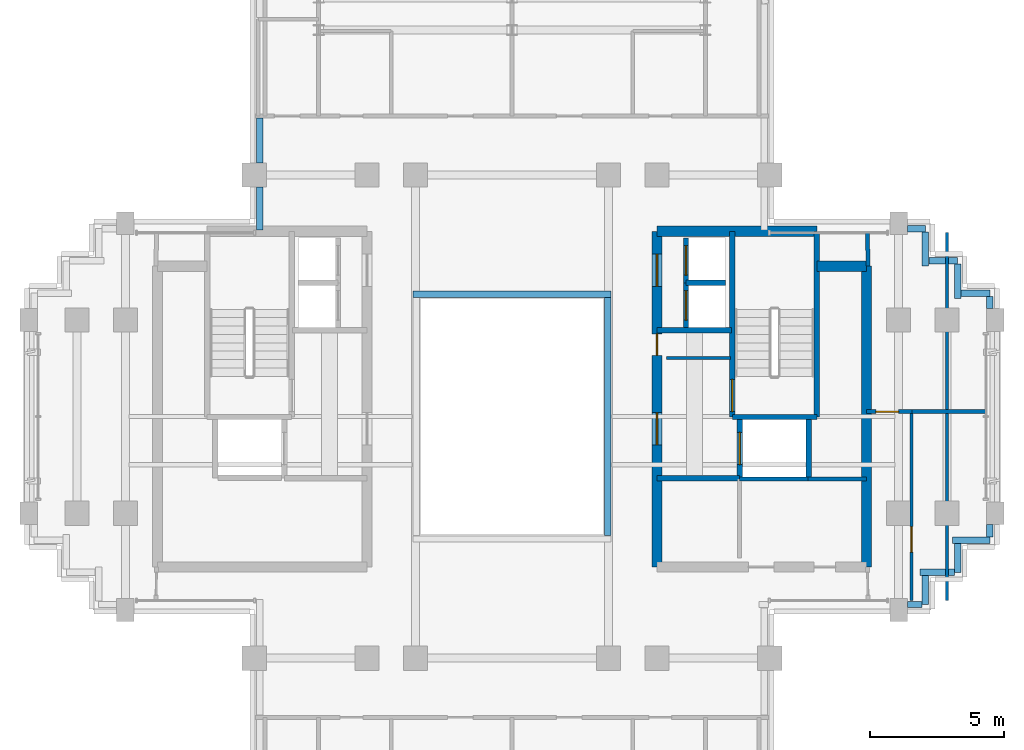
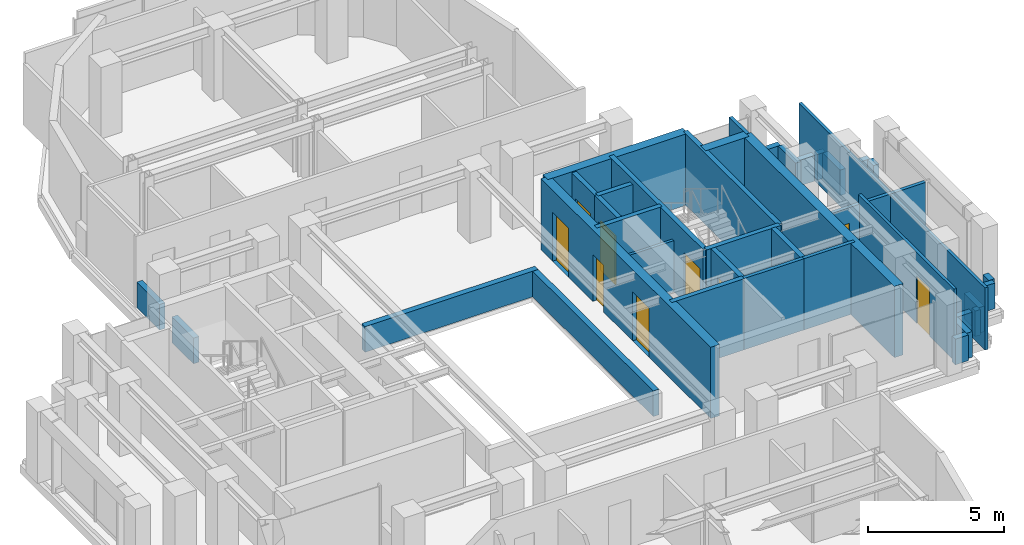
# One storey, part 7 of 11: 40 walls, 9 doors, 9 openings.
"""IFC4 building model written with IfcOpenShell, lengths in metres."""

from ifc_helpers import new_model, si_unit, direction, frame, frame_2d, origin, place, context, subcontext, project, spatial, rectangle, extrude, source, transform, mapped, material, layer, layer_set, type_object, element, fill, save


model = new_model("IFC4")

# Units and contexts
model_context = context("Model", 3, precision=1e-05, world=origin(), true_north=direction((0.0, 1.0)))
body_context = subcontext(model_context, "Body", "Model", "MODEL_VIEW")
ifc_project = project(units=[si_unit("LENGTHUNIT", "METRE"), si_unit("AREAUNIT", "SQUARE_METRE"), si_unit("VOLUMEUNIT", "CUBIC_METRE"), si_unit("PLANEANGLEUNIT", "RADIAN"), si_unit("MASSUNIT", "GRAM", prefix="KILO")], contexts=[model_context])

# Site, building, storey
site_placement = place(None, origin())
site = spatial("IfcSite", under=ifc_project, at=site_placement, CompositionType="ELEMENT")
building_placement = place(site_placement, origin())
building = spatial("IfcBuilding", under=site, at=building_placement, Name="Keilestroom Media Tower", CompositionType="ELEMENT")
storey_placement = place(building_placement, frame((0.0, 0.0, 197.800048828125)))
storey = spatial("IfcBuildingStorey", under=building, at=storey_placement, Name="L54", CompositionType="ELEMENT", Elevation=197.800048828125)

# Walls
ifc_material_1 = material(Name="Gypsum Plasterboard & Steel Stud", Category="steel")
ifc_layer_1 = layer(ifc_material_1, 0.1201171875)
ifc_layer_set_1 = layer_set([ifc_layer_1], Name="Gypsum Plasterboard & Steel Stud")
wall_type_1 = type_object("IfcWallType", Name="Interior-Partition-Wall-120", PredefinedType="PARTITIONING", material=ifc_layer_set_1)
wall_1_placement = place(storey_placement, frame((5.75, 2.179931640625, 0.0), z_axis=(0.0, 0.0, 1.0), x_axis=(1.0, 0.0, 0.0)))
element("IfcWall", 1, at=wall_1_placement, inside=storey, type_object=wall_type_1, Name="L54 Interior Wall WP-L54-CIE-S", PredefinedType="PARTITIONING", context=body_context, shape_type="SweptSolid", body=[
    extrude(rectangle(XDim=2.389892578125, YDim=0.1201171875, at=frame_2d((1.19482421875, 0.0))), origin(), (0.0, 0.0, 1.0), 2.300048828125),
])
wall_2_placement = place(storey_placement, frame((16.199951171875, -6.85009765625, 0.0), z_axis=(0.0, 0.0, 1.0), x_axis=(0.0, 1.0, 0.0)))
element("IfcWall", 2, at=wall_2_placement, inside=storey, type_object=wall_type_1, Name="L54 Interior Wall WP-L54-HGYM-COL", PredefinedType="PARTITIONING", context=body_context, shape_type="SweptSolid", body=[
    extrude(rectangle(XDim=13.7001953125, YDim=0.1201171875, at=frame_2d((6.85009765625, 0.0))), origin(), (0.0, 0.0, 1.0), 2.800048828125),
])

# Wall, opening, door
wall_3_placement = place(storey_placement, frame((14.8798828125, -6.85009765625, 0.0), z_axis=(0.0, 0.0, 1.0), x_axis=(0.0, 1.0, 0.0)))
wall_3 = element("IfcWall", 3, at=wall_3_placement, inside=storey, type_object=wall_type_1, Name="L54 Interior Wall WP-L54-HSKP307-W", PredefinedType="PARTITIONING", context=body_context, shape_type="SweptSolid", body=[
    extrude(rectangle(XDim=7.030029296875, YDim=0.1201171875, at=frame_2d((3.51513671875, 0.0))), origin(), (0.0, 0.0, 1.0), 3.199951171875),
])
opening_1_placement = place(wall_3_placement, frame((1.800048828125, 0.0, 0.0)))
opening_1 = element("IfcOpeningElement", 4, at=opening_1_placement, cuts=wall_3, Name="Opening DI-03", PredefinedType="OPENING", context=body_context, shape_type="SweptSolid", body=[
    extrude(rectangle(XDim=0.949951171875, YDim=2.14990234375, at=frame_2d((0.47509765625, 1.074951171875))), frame((0.0, 0.070068359375, 0.0), z_axis=(0.0, -1.0, 0.0), x_axis=(1.0, 0.0, 0.0)), (0.0, 0.0, 1.0), 0.14013671875),
])
ifc_material_2 = material(Name="Lacquered European Oak Leaf", Category="wood")
door_type_1 = type_object("IfcDoorType", Name="Interior-Room-And-Suite-Door-DI-03", OperationType="NOTDEFINED", PredefinedType="DOOR", material=ifc_material_2)
shared_shape_1 = source(origin(), body_context, "Body", "SweptSolid", [
    extrude(rectangle(XDim=0.949951171875, YDim=2.14990234375, at=frame_2d((0.47509765625, 1.074951171875))), frame((0.0, 0.02490234375, 0.0), z_axis=(0.0, -1.0, 0.0), x_axis=(1.0, 0.0, 0.0)), (0.0, 0.0, 1.0), 0.050048828125),
])
door_1_placement = place(opening_1_placement, origin())
door_1 = element("IfcDoor", 5, at=door_1_placement, inside=storey, type_object=door_type_1, Name="L54 Interior Door DI-L54-DHSKP307-L", OperationType="SINGLE_SWING_RIGHT", OverallHeight=2.14990234375, OverallWidth=0.949951171875, PredefinedType="DOOR", context=body_context, shape_type="MappedRepresentation", body=[
    mapped(shared_shape_1, transform((0.0, 0.0, 0.0), x_axis=(1.0, 0.0, 0.0), y_axis=(0.0, 1.0, 0.0), z_axis=(0.0, 0.0, 1.0), scale=1.0)),
])
fill(opening_1, door_1)

# Walls
ifc_layer_2 = layer(ifc_material_1, 0.14990234375)
ifc_layer_set_2 = layer_set([ifc_layer_2], Name="Gypsum Plasterboard & Steel Stud")
wall_type_2 = type_object("IfcWallType", Name="Interior-Partition-Wall-150", PredefinedType="PARTITIONING", material=ifc_layer_set_2)
wall_4_placement = place(storey_placement, frame((11.02001953125, -2.320068359375, 0.0), z_axis=(0.0, 0.0, 1.0), x_axis=(1.0, 0.0, 0.0)))
element("IfcWall", 6, at=wall_4_placement, inside=storey, type_object=wall_type_2, Name="L54 Interior Wall WP-L54-RECLE-N", PredefinedType="PARTITIONING", context=body_context, shape_type="SweptSolid", body=[
    extrude(rectangle(XDim=2.179931640625, YDim=0.14990234375, at=frame_2d((1.08984375, 0.0))), origin(), (0.0, 0.0, 1.0), 3.199951171875),
])
wall_5_placement = place(storey_placement, frame((8.47998046875, -2.320068359375, 0.0), z_axis=(0.0, 0.0, 1.0), x_axis=(1.0, 0.0, 0.0)))
element("IfcWall", 7, at=wall_5_placement, inside=storey, type_object=wall_type_2, Name="L54 Interior Wall WP-L54-RECME-N", PredefinedType="PARTITIONING", context=body_context, shape_type="SweptSolid", body=[
    extrude(rectangle(XDim=2.56005859375, YDim=0.14990234375, at=frame_2d((1.280029296875, 0.0))), origin(), (0.0, 0.0, 1.0), 3.199951171875),
])
wall_6_placement = place(storey_placement, frame((13.260009765625, 5.60009765625, 0.0), z_axis=(0.0, 0.0, 1.0), x_axis=(-0.016013571389, 0.999871774545, 0.0)))
element("IfcWall", 8, at=wall_6_placement, inside=storey, type_object=wall_type_2, Name="L54 Interior Wall WP-L54-HGYM-ENTN", PredefinedType="PARTITIONING", context=body_context, shape_type="SweptSolid", body=[
    extrude(rectangle(XDim=1.250244140625, YDim=0.14990234375, at=frame_2d((0.625, 0.0))), origin(), (0.0, 0.0, 1.0), 3.199951171875),
])
wall_7_placement = place(storey_placement, frame((14.89990234375, 0.179931640625, 0.0), z_axis=(0.0, 0.0, 1.0), x_axis=(1.0, 0.0, 0.0)))
element("IfcWall", 9, at=wall_7_placement, inside=storey, type_object=wall_type_2, Name="L54 Interior Wall WP-L54-HGYM-M", PredefinedType="PARTITIONING", context=body_context, shape_type="SweptSolid", body=[
    extrude(rectangle(XDim=2.75, YDim=0.14990234375, at=frame_2d((1.375, 0.0))), origin(), (0.0, 0.0, 1.0), 2.800048828125),
])

# Wall, opening, door
wall_8_placement = place(storey_placement, frame((13.199951171875, 0.179931640625, 0.0), z_axis=(0.0, 0.0, 1.0), x_axis=(1.0, 0.0, 0.0)))
wall_8 = element("IfcWall", 10, at=wall_8_placement, inside=storey, type_object=wall_type_2, Name="L54 Interior Wall WP-L54-HGYM-S0", PredefinedType="PARTITIONING", context=body_context, shape_type="SweptSolid", body=[
    extrude(rectangle(XDim=1.699951171875, YDim=0.14990234375, at=frame_2d((0.85009765625, 0.0))), origin(), (0.0, 0.0, 1.0), 2.800048828125),
])
opening_2_placement = place(wall_8_placement, frame((0.35009765625, 0.0, 0.0)))
opening_2 = element("IfcOpeningElement", 11, at=opening_2_placement, cuts=wall_8, Name="Opening DI-05", PredefinedType="OPENING", context=body_context, shape_type="SweptSolid", body=[
    extrude(rectangle(XDim=0.85009765625, YDim=2.10009765625, at=frame_2d((0.425048828125, 1.050048828125))), frame((0.0, 0.0849609375, 0.0), z_axis=(0.0, -1.0, 0.0), x_axis=(1.0, 0.0, 0.0)), (0.0, 0.0, 1.0), 0.169921875),
])
ifc_material_3 = material(Name="Moisture-Resistant Oak Leaf", Category="wood")
door_type_2 = type_object("IfcDoorType", Name="Interior-En-Suite-And-Cupboard-Door-DI-05", OperationType="NOTDEFINED", PredefinedType="DOOR", material=ifc_material_3)
shared_shape_2 = source(origin(), body_context, "Body", "SweptSolid", [
    extrude(rectangle(XDim=0.85009765625, YDim=2.10009765625, at=frame_2d((0.425048828125, 1.050048828125))), frame((0.0, 0.02490234375, 0.0), z_axis=(0.0, -1.0, 0.0), x_axis=(1.0, 0.0, 0.0)), (0.0, 0.0, 1.0), 0.050048828125),
])
door_2_placement = place(opening_2_placement, origin())
door_2 = element("IfcDoor", 12, at=door_2_placement, inside=storey, type_object=door_type_2, Name="L54 Interior Door DI-L54-DGYM-E", OperationType="SINGLE_SWING_LEFT", OverallHeight=2.10009765625, OverallWidth=0.85009765625, PredefinedType="DOOR", context=body_context, shape_type="MappedRepresentation", body=[
    mapped(shared_shape_2, transform((0.0, 0.0, 0.0), x_axis=(1.0, 0.0, 0.0), y_axis=(0.0, 1.0, 0.0), z_axis=(0.0, 0.0, 1.0), scale=1.0)),
])
fill(opening_2, door_2)

# Wall
ifc_material_4 = material(Name="Concrete C55/67", Category="concrete")
ifc_layer_3 = layer(ifc_material_4, 0.3798828125)
ifc_layer_set_3 = layer_set([ifc_layer_3], Name="Concrete C55/67")
wall_type_3 = type_object("IfcWallType", Name="Reinforced-Concrete-Core-Shear-Wall-380", PredefinedType="SHEAR", material=ifc_layer_set_3)
wall_9_placement = place(storey_placement, frame((13.199951171875, -5.60009765625, 0.0), z_axis=(0.0, 0.0, 1.0), x_axis=(0.0, 1.0, 0.0)))
element("IfcWall", 13, at=wall_9_placement, inside=storey, type_object=wall_type_3, Name="L54 Core Shear Wall WL-L54-CORE-E-OUT", PredefinedType="SHEAR", context=body_context, shape_type="SweptSolid", body=[
    extrude(rectangle(XDim=11.2001953125, YDim=0.3798828125, at=frame_2d((5.60009765625, 0.0))), origin(), (0.0, 0.0, 1.0), 3.199951171875),
])

# Wall, openings, doors
wall_10_placement = place(storey_placement, frame((5.39990234375, -5.60009765625, 0.0), z_axis=(0.0, 0.0, 1.0), x_axis=(0.0, 1.0, 0.0)))
wall_10 = element("IfcWall", 14, at=wall_10_placement, inside=storey, type_object=wall_type_3, Name="L54 Core Shear Wall WL-L54-CORE-E-IN", PredefinedType="SHEAR", context=body_context, shape_type="SweptSolid", body=[
    extrude(rectangle(XDim=12.5, YDim=0.3798828125, at=frame_2d((6.25, 0.0))), origin(), (0.0, 0.0, 1.0), 3.199951171875),
])
opening_3_placement = place(wall_10_placement, frame((4.550048828125, 0.0, 0.0)))
opening_3 = element("IfcOpeningElement", 15, at=opening_3_placement, cuts=wall_10, Name="Opening DI-02", PredefinedType="OPENING", context=body_context, shape_type="SweptSolid", body=[
    extrude(rectangle(XDim=1.199951171875, YDim=2.199951171875, at=frame_2d((0.60009765625, 1.10009765625))), frame((0.0, 0.199951171875, 0.0), z_axis=(0.0, -1.0, 0.0), x_axis=(1.0, 0.0, 0.0)), (0.0, 0.0, 1.0), 0.39990234375),
])
opening_4_placement = place(wall_10_placement, frame((10.449951171875, 0.0, 0.0)))
opening_4 = element("IfcOpeningElement", 16, at=opening_4_placement, cuts=wall_10, Name="Opening DI-02", PredefinedType="OPENING", context=body_context, shape_type="SweptSolid", body=[
    extrude(rectangle(XDim=1.199951171875, YDim=2.199951171875, at=frame_2d((0.60009765625, 1.10009765625))), frame((0.0, 0.199951171875, 0.0), z_axis=(0.0, -1.0, 0.0), x_axis=(1.0, 0.0, 0.0)), (0.0, 0.0, 1.0), 0.39990234375),
])
opening_5_placement = place(wall_10_placement, frame((7.8798828125, 0.0, 0.0)))
opening_5 = element("IfcOpeningElement", 17, at=opening_5_placement, cuts=wall_10, Name="Opening DI-06", PredefinedType="OPENING", context=body_context, shape_type="SweptSolid", body=[
    extrude(rectangle(XDim=0.800048828125, YDim=2.10009765625, at=frame_2d((0.39990234375, 1.050048828125))), frame((0.0, 0.199951171875, 0.0), z_axis=(0.0, -1.0, 0.0), x_axis=(1.0, 0.0, 0.0)), (0.0, 0.0, 1.0), 0.39990234375),
])
ifc_material_5 = material(Name="Powder-Coated Steel Fire Leaf", Category="steel")
door_type_3 = type_object("IfcDoorType", Name="Interior-Compartment-Fire-Door-DI-02", OperationType="NOTDEFINED", PredefinedType="DOOR", material=ifc_material_5)
shared_shape_3 = source(origin(), body_context, "Body", "SweptSolid", [
    extrude(rectangle(XDim=1.199951171875, YDim=2.199951171875, at=frame_2d((0.60009765625, 1.10009765625))), frame((0.0, 0.02490234375, 0.0), z_axis=(0.0, -1.0, 0.0), x_axis=(1.0, 0.0, 0.0)), (0.0, 0.0, 1.0), 0.050048828125),
])
door_3_placement = place(opening_3_placement, origin())
door_3 = element("IfcDoor", 18, at=door_3_placement, inside=storey, type_object=door_type_3, Name="L54 E Firefighting Lobby Door", OperationType="SINGLE_SWING_LEFT", OverallHeight=2.199951171875, OverallWidth=1.199951171875, PredefinedType="DOOR", context=body_context, shape_type="MappedRepresentation", body=[
    mapped(shared_shape_3, transform((0.0, 0.0, 0.0), x_axis=(1.0, 0.0, 0.0), y_axis=(0.0, 1.0, 0.0), z_axis=(0.0, 0.0, 1.0), scale=1.0)),
])
fill(opening_3, door_3)
door_4_placement = place(opening_4_placement, origin())
door_4 = element("IfcDoor", 19, at=door_4_placement, inside=storey, type_object=door_type_3, Name="L54 E High-Rise Lift Lobby Door", OperationType="SINGLE_SWING_RIGHT", OverallHeight=2.199951171875, OverallWidth=1.199951171875, PredefinedType="DOOR", context=body_context, shape_type="MappedRepresentation", body=[
    mapped(shared_shape_3, transform((0.0, 0.0, 0.0), x_axis=(1.0, 0.0, 0.0), y_axis=(0.0, 1.0, 0.0), z_axis=(0.0, 0.0, 1.0), scale=1.0)),
])
fill(opening_4, door_4)
ifc_material_6 = material(Name="Powder-Coated Steel Service Leaf", Category="steel")
door_type_4 = type_object("IfcDoorType", Name="Interior-Riser-Access-Door-DI-06", OperationType="NOTDEFINED", PredefinedType="DOOR", material=ifc_material_6)
shared_shape_4 = source(origin(), body_context, "Body", "SweptSolid", [
    extrude(rectangle(XDim=0.800048828125, YDim=2.10009765625, at=frame_2d((0.39990234375, 1.050048828125))), frame((0.0, 0.02490234375, 0.0), z_axis=(0.0, -1.0, 0.0), x_axis=(1.0, 0.0, 0.0)), (0.0, 0.0, 1.0), 0.050048828125),
])
door_5_placement = place(opening_5_placement, origin())
door_5 = element("IfcDoor", 20, at=door_5_placement, inside=storey, type_object=door_type_4, Name="L54 East Core Closet Door", OperationType="SINGLE_SWING_RIGHT", OverallHeight=2.10009765625, OverallWidth=0.800048828125, PredefinedType="DOOR", context=body_context, shape_type="MappedRepresentation", body=[
    mapped(shared_shape_4, transform((0.0, 0.0, 0.0), x_axis=(1.0, 0.0, 0.0), y_axis=(0.0, 1.0, 0.0), z_axis=(0.0, 0.0, 1.0), scale=1.0)),
])
fill(opening_5, door_5)

# Walls
wall_11_placement = place(storey_placement, frame((5.39990234375, 6.89990234375, 0.0), z_axis=(0.0, 0.0, 1.0), x_axis=(1.0, 0.0, 0.0)))
element("IfcWall", 21, at=wall_11_placement, inside=storey, type_object=wall_type_3, Name="L54 Core Shear Wall WL-L54-CORE-E-N", PredefinedType="SHEAR", context=body_context, shape_type="SweptSolid", body=[
    extrude(rectangle(XDim=5.9560546875, YDim=0.3798828125, at=frame_2d((2.97802734375, 0.0))), origin(), (0.0, 0.0, 1.0), 3.199951171875),
])
wall_12_placement = place(storey_placement, frame((11.35595703125, 5.60009765625, 0.0), z_axis=(0.0, 0.0, 1.0), x_axis=(1.0, 0.0, 0.0)))
element("IfcWall", 22, at=wall_12_placement, inside=storey, type_object=wall_type_3, Name="L54 Core Shear Wall WL-L54-CNE-N", PredefinedType="SHEAR", context=body_context, shape_type="SweptSolid", body=[
    extrude(rectangle(XDim=1.843994140625, YDim=0.3798828125, at=frame_2d((0.921875, 0.0))), origin(), (0.0, 0.0, 1.0), 3.199951171875),
])
ifc_material_7 = material(Name="Concrete C50/60", Category="concrete")
ifc_layer_4 = layer(ifc_material_7, 0.199951171875)
ifc_layer_set_4 = layer_set([ifc_layer_4], Name="Concrete C50/60")
wall_type_4 = type_object("IfcWallType", Name="Reinforced-Concrete-Shaft-Wall-200", PredefinedType="SOLIDWALL", material=ifc_layer_set_4)
wall_13_placement = place(storey_placement, frame((5.39990234375, 3.219970703125, 0.0), z_axis=(0.0, 0.0, 1.0), x_axis=(1.0, 0.0, 0.0)))
element("IfcWall", 23, at=wall_13_placement, inside=storey, type_object=wall_type_4, Name="L54 Core Shear Wall WL-L54-CORE-E-FFN", PredefinedType="SOLIDWALL", context=body_context, shape_type="SweptSolid", body=[
    extrude(rectangle(XDim=2.780029296875, YDim=0.199951171875, at=frame_2d((1.39013671875, 0.0))), origin(), (0.0, 0.0, 1.0), 3.199951171875),
])
wall_14_placement = place(storey_placement, frame((5.39990234375, -2.300048828125, 0.0), z_axis=(0.0, 0.0, 1.0), x_axis=(1.0, 0.0, 0.0)))
element("IfcWall", 24, at=wall_14_placement, inside=storey, type_object=wall_type_4, Name="L54 Core Shear Wall WL-L54-CORE-E-FFS", PredefinedType="SOLIDWALL", context=body_context, shape_type="SweptSolid", body=[
    extrude(rectangle(XDim=3.080078125, YDim=0.199951171875, at=frame_2d((1.5400390625, 0.0))), origin(), (0.0, 0.0, 1.0), 3.199951171875),
])

# Wall, opening, door
wall_15_placement = place(storey_placement, frame((8.2041015625, -0.01611328125, 0.0), z_axis=(0.0, 0.0, 1.0), x_axis=(0.0, 1.0, 0.0)))
wall_15 = element("IfcWall", 25, at=wall_15_placement, inside=storey, type_object=wall_type_4, Name="L54 Core Shear Wall WL-L54-STW-E-NEAR", PredefinedType="SOLIDWALL", context=body_context, shape_type="SweptSolid", body=[
    extrude(rectangle(XDim=6.916015625, YDim=0.199951171875, at=frame_2d((3.4580078125, 0.0))), origin(), (0.0, 0.0, 1.0), 3.199951171875),
])
opening_6_placement = place(wall_15_placement, frame((0.199951171875, 0.0, 0.0)))
opening_6 = element("IfcOpeningElement", 26, at=opening_6_placement, cuts=wall_15, Name="Opening DI-01S", PredefinedType="OPENING", context=body_context, shape_type="SweptSolid", body=[
    extrude(rectangle(XDim=1.199951171875, YDim=2.199951171875, at=frame_2d((0.60009765625, 1.10009765625))), frame((0.0, 0.10986328125, 0.0), z_axis=(0.0, -1.0, 0.0), x_axis=(1.0, 0.0, 0.0)), (0.0, 0.0, 1.0), 0.219970703125),
])
door_type_5 = type_object("IfcDoorType", Name="Interior-Stair-And-Core-Fire-Door-DI-01", OperationType="NOTDEFINED", PredefinedType="DOOR", material=ifc_material_5)
door_6_placement = place(opening_6_placement, origin())
door_6 = element("IfcDoor", 27, at=door_6_placement, inside=storey, type_object=door_type_5, Name="L54 Escape Stair ST-2 Fire Door", OperationType="SINGLE_SWING_RIGHT", OverallHeight=2.199951171875, OverallWidth=1.199951171875, PredefinedType="DOOR", context=body_context, shape_type="MappedRepresentation", body=[
    mapped(shared_shape_3, transform((0.0, 0.0, 0.0), x_axis=(1.0, 0.0, 0.0), y_axis=(0.0, 1.0, 0.0), z_axis=(0.0, 0.0, 1.0), scale=1.0)),
])
fill(opening_6, door_6)

# Walls
wall_16_placement = place(storey_placement, frame((11.35595703125, -0.01611328125, 0.0), z_axis=(0.0, 0.0, 1.0), x_axis=(0.0, 1.0, 0.0)))
element("IfcWall", 28, at=wall_16_placement, inside=storey, type_object=wall_type_4, Name="L54 Core Shear Wall WL-L54-STW-E-FAR", PredefinedType="SOLIDWALL", context=body_context, shape_type="SweptSolid", body=[
    extrude(rectangle(XDim=6.916015625, YDim=0.199951171875, at=frame_2d((3.4580078125, 0.0))), origin(), (0.0, 0.0, 1.0), 3.199951171875),
])
wall_17_placement = place(storey_placement, frame((8.2041015625, -0.01611328125, 0.0), z_axis=(0.0, 0.0, 1.0), x_axis=(1.0, 0.0, 0.0)))
element("IfcWall", 29, at=wall_17_placement, inside=storey, type_object=wall_type_4, Name="L54 Core Shear Wall WL-L54-STW-E-S", PredefinedType="SOLIDWALL", context=body_context, shape_type="SweptSolid", body=[
    extrude(rectangle(XDim=3.15185546875, YDim=0.199951171875, at=frame_2d((1.575927734375, 0.0))), origin(), (0.0, 0.0, 1.0), 3.199951171875),
])

# Wall, opening, door
wall_18_placement = place(storey_placement, frame((8.47998046875, -2.280029296875, 0.0), z_axis=(0.0, 0.0, 1.0), x_axis=(0.0, 1.0, 0.0)))
wall_18 = element("IfcWall", 30, at=wall_18_placement, inside=storey, type_object=wall_type_4, Name="L54 Core Shear Wall WL-L54-LSH-FFL-2-W", PredefinedType="SOLIDWALL", context=body_context, shape_type="SweptSolid", body=[
    extrude(rectangle(XDim=2.179931640625, YDim=0.199951171875, at=frame_2d((1.08984375, 0.0))), origin(), (0.0, 0.0, 1.0), 3.199951171875),
])
opening_7_placement = place(wall_18_placement, frame((0.489990234375, 0.0, 0.0)))
opening_7 = element("IfcOpeningElement", 31, at=opening_7_placement, cuts=wall_18, Name="Opening LD-02", PredefinedType="OPENING", context=body_context, shape_type="SweptSolid", body=[
    extrude(rectangle(XDim=1.199951171875, YDim=2.199951171875, at=frame_2d((0.60009765625, 1.10009765625))), frame((0.0, 0.10986328125, 0.0), z_axis=(0.0, -1.0, 0.0), x_axis=(1.0, 0.0, 0.0)), (0.0, 0.0, 1.0), 0.219970703125),
])
ifc_material_8 = material(Name="Brushed Stainless Steel Sliding Leaf", Category="steel")
door_type_6 = type_object("IfcDoorType", Name="Lift-Landing-Sliding-Door-LD-02", OperationType="SLIDING_TO_RIGHT", PredefinedType="DOOR", material=ifc_material_8)
door_7_placement = place(opening_7_placement, origin())
door_7 = element("IfcDoor", 32, at=door_7_placement, inside=storey, type_object=door_type_6, Name="L54 Lift FFL-2 Landing Sliding Door", OperationType="SLIDING_TO_RIGHT", OverallHeight=2.199951171875, OverallWidth=1.199951171875, PredefinedType="DOOR", context=body_context, shape_type="MappedRepresentation", body=[
    mapped(shared_shape_3, transform((0.0, 0.0, 0.0), x_axis=(1.0, 0.0, 0.0), y_axis=(0.0, 1.0, 0.0), z_axis=(0.0, 0.0, 1.0), scale=1.0)),
])
fill(opening_7, door_7)

# Wall
wall_19_placement = place(storey_placement, frame((11.050048828125, -2.280029296875, 0.0), z_axis=(0.0, 0.0, 1.0), x_axis=(0.0, 1.0, 0.0)))
element("IfcWall", 33, at=wall_19_placement, inside=storey, type_object=wall_type_4, Name="L54 Core Shear Wall WL-L54-LSH-FFL-2-E", PredefinedType="SOLIDWALL", context=body_context, shape_type="SweptSolid", body=[
    extrude(rectangle(XDim=2.179931640625, YDim=0.199951171875, at=frame_2d((1.08984375, 0.0))), origin(), (0.0, 0.0, 1.0), 3.199951171875),
])

# Wall, opening, door
wall_20_placement = place(storey_placement, frame((6.47998046875, 3.300048828125, 0.0), z_axis=(0.0, 0.0, 1.0), x_axis=(0.0, 1.0, 0.0)))
wall_20 = element("IfcWall", 34, at=wall_20_placement, inside=storey, type_object=wall_type_4, Name="L54 Core Shear Wall WL-L54-LSH-PL-H3-W", PredefinedType="SOLIDWALL", context=body_context, shape_type="SweptSolid", body=[
    extrude(rectangle(XDim=1.679931640625, YDim=0.199951171875, at=frame_2d((0.83984375, 0.0))), origin(), (0.0, 0.0, 1.0), 3.199951171875),
])
opening_8_placement = place(wall_20_placement, frame((0.2900390625, 0.0, 0.0)))
opening_8 = element("IfcOpeningElement", 35, at=opening_8_placement, cuts=wall_20, Name="Opening LD-01", PredefinedType="OPENING", context=body_context, shape_type="SweptSolid", body=[
    extrude(rectangle(XDim=1.10009765625, YDim=2.199951171875, at=frame_2d((0.550048828125, 1.10009765625))), frame((0.0, 0.10986328125, 0.0), z_axis=(0.0, -1.0, 0.0), x_axis=(1.0, 0.0, 0.0)), (0.0, 0.0, 1.0), 0.219970703125),
])
door_type_7 = type_object("IfcDoorType", Name="Lift-Landing-Sliding-Door-LD-01", OperationType="SLIDING_TO_LEFT", PredefinedType="DOOR", material=ifc_material_8)
shared_shape_5 = source(origin(), body_context, "Body", "SweptSolid", [
    extrude(rectangle(XDim=1.10009765625, YDim=2.199951171875, at=frame_2d((0.550048828125, 1.10009765625))), frame((0.0, 0.02490234375, 0.0), z_axis=(0.0, -1.0, 0.0), x_axis=(1.0, 0.0, 0.0)), (0.0, 0.0, 1.0), 0.050048828125),
])
door_8_placement = place(opening_8_placement, origin())
door_8 = element("IfcDoor", 36, at=door_8_placement, inside=storey, type_object=door_type_7, Name="L54 Lift PL-H3 Landing Sliding Door", OperationType="SLIDING_TO_LEFT", OverallHeight=2.199951171875, OverallWidth=1.10009765625, PredefinedType="DOOR", context=body_context, shape_type="MappedRepresentation", body=[
    mapped(shared_shape_5, transform((0.0, 0.0, 0.0), x_axis=(1.0, 0.0, 0.0), y_axis=(0.0, 1.0, 0.0), z_axis=(0.0, 0.0, 1.0), scale=1.0)),
])
fill(opening_8, door_8)

# Wall
wall_21_placement = place(storey_placement, frame((6.47998046875, 4.97998046875, 0.0), z_axis=(0.0, 0.0, 1.0), x_axis=(1.0, 0.0, 0.0)))
element("IfcWall", 37, at=wall_21_placement, inside=storey, type_object=wall_type_4, Name="L54 Core Shear Wall WL-L54-LSH-PL-H3-N", PredefinedType="SOLIDWALL", context=body_context, shape_type="SweptSolid", body=[
    extrude(rectangle(XDim=1.469970703125, YDim=0.199951171875, at=frame_2d((0.73486328125, 0.0))), origin(), (0.0, 0.0, 1.0), 3.199951171875),
])

# Wall, opening, door
wall_22_placement = place(storey_placement, frame((6.47998046875, 4.97998046875, 0.0), z_axis=(0.0, 0.0, 1.0), x_axis=(0.0, 1.0, 0.0)))
wall_22 = element("IfcWall", 38, at=wall_22_placement, inside=storey, type_object=wall_type_4, Name="L54 Core Shear Wall WL-L54-LSH-PL-H4-W", PredefinedType="SOLIDWALL", context=body_context, shape_type="SweptSolid", body=[
    extrude(rectangle(XDim=1.669921875, YDim=0.199951171875, at=frame_2d((0.8349609375, 0.0))), origin(), (0.0, 0.0, 1.0), 3.199951171875),
])
opening_9_placement = place(wall_22_placement, frame((0.284912109375, 0.0, 0.0)))
opening_9 = element("IfcOpeningElement", 39, at=opening_9_placement, cuts=wall_22, Name="Opening LD-01", PredefinedType="OPENING", context=body_context, shape_type="SweptSolid", body=[
    extrude(rectangle(XDim=1.10009765625, YDim=2.199951171875, at=frame_2d((0.550048828125, 1.10009765625))), frame((0.0, 0.10986328125, 0.0), z_axis=(0.0, -1.0, 0.0), x_axis=(1.0, 0.0, 0.0)), (0.0, 0.0, 1.0), 0.219970703125),
])
door_9_placement = place(opening_9_placement, origin())
door_9 = element("IfcDoor", 40, at=door_9_placement, inside=storey, type_object=door_type_7, Name="L54 Lift PL-H4 Landing Sliding Door", OperationType="SLIDING_TO_LEFT", OverallHeight=2.199951171875, OverallWidth=1.10009765625, PredefinedType="DOOR", context=body_context, shape_type="MappedRepresentation", body=[
    mapped(shared_shape_5, transform((0.0, 0.0, 0.0), x_axis=(1.0, 0.0, 0.0), y_axis=(0.0, 1.0, 0.0), z_axis=(0.0, 0.0, 1.0), scale=1.0)),
])
fill(opening_9, door_9)

# Walls
ifc_material_9 = material(Name="Precast concrete C40/50", Category="concrete")
ifc_layer_5 = layer(ifc_material_9, 0.239990234375)
ifc_layer_set_5 = layer_set([ifc_layer_5], Name="Precast concrete C40/50")
wall_type_5 = type_object("IfcWallType", Name="Roof-And-Terrace-Parapet-Wall-240", PredefinedType="PARAPET", material=ifc_layer_set_5)
wall_23_placement = place(storey_placement, frame((17.800048828125, -4.60009765625, 0.0), z_axis=(0.0, 0.0, 1.0), x_axis=(-1.0, 0.0, 0.0)))
element("IfcWall", 41, at=wall_23_placement, inside=storey, type_object=wall_type_5, Name="L54 Perimeter Edge Parapet Wall 01", PredefinedType="PARAPET", context=body_context, shape_type="SweptSolid", body=[
    extrude(rectangle(XDim=1.400146484375, YDim=0.239990234375, at=frame_2d((0.7001953125, 0.0))), origin(), (0.0, 0.0, 1.0), 1.14990234375),
])
wall_24_placement = place(storey_placement, frame((16.60009765625, -4.722900390625, 0.0), z_axis=(0.0, 0.0, 1.0), x_axis=(0.0, -1.0, 0.0)))
element("IfcWall", 42, at=wall_24_placement, inside=storey, type_object=wall_type_5, Name="L54 Perimeter Edge Parapet Wall 02", PredefinedType="PARAPET", context=body_context, shape_type="SweptSolid", body=[
    extrude(rectangle(XDim=1.0771484375, YDim=0.239990234375, at=frame_2d((0.53857421875, 0.0))), origin(), (0.0, 0.0, 1.0), 1.14990234375),
])
wall_25_placement = place(storey_placement, frame((16.47705078125, -5.800048828125, 0.0), z_axis=(0.0, 0.0, 1.0), x_axis=(-1.0, 0.0, 0.0)))
element("IfcWall", 43, at=wall_25_placement, inside=storey, type_object=wall_type_5, Name="L54 Perimeter Edge Parapet Wall 03", PredefinedType="PARAPET", context=body_context, shape_type="SweptSolid", body=[
    extrude(rectangle(XDim=0.214111328125, YDim=0.239990234375, at=frame_2d((0.10693359375, 0.0))), origin(), (0.0, 0.0, 1.0), 1.14990234375),
])
wall_26_placement = place(storey_placement, frame((16.136962890625, -5.800048828125, 0.0), z_axis=(0.0, 0.0, 1.0), x_axis=(-1.0, 0.0, 0.0)))
element("IfcWall", 44, at=wall_26_placement, inside=storey, type_object=wall_type_5, Name="L54 Perimeter Edge Parapet Wall 04", PredefinedType="PARAPET", context=body_context, shape_type="SweptSolid", body=[
    extrude(rectangle(XDim=0.93701171875, YDim=0.239990234375, at=frame_2d((0.468505859375, 0.0))), origin(), (0.0, 0.0, 1.0), 1.14990234375),
])
wall_27_placement = place(storey_placement, frame((15.39990234375, -5.923095703125, 0.0), z_axis=(0.0, 0.0, 1.0), x_axis=(0.0, -1.0, 0.0)))
element("IfcWall", 45, at=wall_27_placement, inside=storey, type_object=wall_type_5, Name="L54 Perimeter Edge Parapet Wall 05", PredefinedType="PARAPET", context=body_context, shape_type="SweptSolid", body=[
    extrude(rectangle(XDim=1.076904296875, YDim=0.239990234375, at=frame_2d((0.53857421875, 0.0))), origin(), (0.0, 0.0, 1.0), 1.14990234375),
])
wall_28_placement = place(storey_placement, frame((15.277099609375, -7.0, 0.0), z_axis=(0.0, 0.0, 1.0), x_axis=(-1.0, 0.0, 0.0)))
element("IfcWall", 46, at=wall_28_placement, inside=storey, type_object=wall_type_5, Name="L54 Perimeter Edge Parapet Wall 06", PredefinedType="PARAPET", context=body_context, shape_type="SweptSolid", body=[
    extrude(rectangle(XDim=0.549072265625, YDim=0.239990234375, at=frame_2d((0.2744140625, 0.0))), origin(), (0.0, 0.0, 1.0), 1.14990234375),
])
wall_29_placement = place(storey_placement, frame((-9.39990234375, 6.952880859375, 0.0), z_axis=(0.0, 0.0, 1.0), x_axis=(0.0, 1.0, 0.0)))
element("IfcWall", 47, at=wall_29_placement, inside=storey, type_object=wall_type_5, Name="L54 Perimeter Edge Parapet Wall 27", PredefinedType="PARAPET", context=body_context, shape_type="SweptSolid", body=[
    extrude(rectangle(XDim=1.59423828125, YDim=0.239990234375, at=frame_2d((0.797119140625, 0.0))), origin(), (0.0, 0.0, 1.0), 1.14990234375),
])
wall_30_placement = place(storey_placement, frame((-9.39990234375, 9.452880859375, 0.0), z_axis=(0.0, 0.0, 1.0), x_axis=(0.0, 1.0, 0.0)))
element("IfcWall", 48, at=wall_30_placement, inside=storey, type_object=wall_type_5, Name="L54 Perimeter Edge Parapet Wall 28", PredefinedType="PARAPET", context=body_context, shape_type="SweptSolid", body=[
    extrude(rectangle(XDim=1.669189453125, YDim=0.239990234375, at=frame_2d((0.83447265625, 0.0))), origin(), (0.0, 0.0, 1.0), 1.14990234375),
])
wall_31_placement = place(storey_placement, frame((14.72802734375, 7.0, 0.0), z_axis=(0.0, 0.0, 1.0), x_axis=(1.0, 0.0, 0.0)))
element("IfcWall", 49, at=wall_31_placement, inside=storey, type_object=wall_type_5, Name="L54 Perimeter Edge Parapet Wall 34", PredefinedType="PARAPET", context=body_context, shape_type="SweptSolid", body=[
    extrude(rectangle(XDim=0.671875, YDim=0.239990234375, at=frame_2d((0.3359375, 0.0))), origin(), (0.0, 0.0, 1.0), 1.14990234375),
])
wall_32_placement = place(storey_placement, frame((15.39990234375, 6.876953125, 0.0), z_axis=(0.0, 0.0, 1.0), x_axis=(0.0, -1.0, 0.0)))
element("IfcWall", 50, at=wall_32_placement, inside=storey, type_object=wall_type_5, Name="L54 Perimeter Edge Parapet Wall 35", PredefinedType="PARAPET", context=body_context, shape_type="SweptSolid", body=[
    extrude(rectangle(XDim=1.27685546875, YDim=0.239990234375, at=frame_2d((0.638427734375, 0.0))), origin(), (0.0, 0.0, 1.0), 1.14990234375),
])
wall_33_placement = place(storey_placement, frame((15.52294921875, 5.800048828125, 0.0), z_axis=(0.0, 0.0, 1.0), x_axis=(1.0, 0.0, 0.0)))
element("IfcWall", 51, at=wall_33_placement, inside=storey, type_object=wall_type_5, Name="L54 Perimeter Edge Parapet Wall 36", PredefinedType="PARAPET", context=body_context, shape_type="SweptSolid", body=[
    extrude(rectangle(XDim=0.614013671875, YDim=0.239990234375, at=frame_2d((0.30712890625, 0.0))), origin(), (0.0, 0.0, 1.0), 1.14990234375),
])
wall_34_placement = place(storey_placement, frame((16.262939453125, 5.800048828125, 0.0), z_axis=(0.0, 0.0, 1.0), x_axis=(1.0, 0.0, 0.0)))
element("IfcWall", 52, at=wall_34_placement, inside=storey, type_object=wall_type_5, Name="L54 Perimeter Edge Parapet Wall 37", PredefinedType="PARAPET", context=body_context, shape_type="SweptSolid", body=[
    extrude(rectangle(XDim=0.337158203125, YDim=0.239990234375, at=frame_2d((0.16845703125, 0.0))), origin(), (0.0, 0.0, 1.0), 1.14990234375),
])
wall_35_placement = place(storey_placement, frame((16.60009765625, 5.677001953125, 0.0), z_axis=(0.0, 0.0, 1.0), x_axis=(0.0, -1.0, 0.0)))
element("IfcWall", 53, at=wall_35_placement, inside=storey, type_object=wall_type_5, Name="L54 Perimeter Edge Parapet Wall 38", PredefinedType="PARAPET", context=body_context, shape_type="SweptSolid", body=[
    extrude(rectangle(XDim=1.277099609375, YDim=0.239990234375, at=frame_2d((0.638671875, 0.0))), origin(), (0.0, 0.0, 1.0), 1.14990234375),
])
wall_36_placement = place(storey_placement, frame((16.722900390625, 4.60009765625, 0.0), z_axis=(0.0, 0.0, 1.0), x_axis=(1.0, 0.0, 0.0)))
element("IfcWall", 54, at=wall_36_placement, inside=storey, type_object=wall_type_5, Name="L54 Perimeter Edge Parapet Wall 39", PredefinedType="PARAPET", context=body_context, shape_type="SweptSolid", body=[
    extrude(rectangle(XDim=1.0771484375, YDim=0.239990234375, at=frame_2d((0.53857421875, 0.0))), origin(), (0.0, 0.0, 1.0), 1.14990234375),
])
for number, where, z_axis, x_axis, name in (
    (55, (17.800048828125, 4.47705078125, 0.0), (0.0, 0.0, 1.0), (0.0, -1.0, 0.0), "L54 Perimeter Edge Parapet Wall 40"),
    (56, (17.800048828125, -4.028076171875, 0.0), (0.0, 0.0, 1.0), (0.0, -1.0, 0.0), "L54 Perimeter Edge Parapet Wall 41"),
):
    element("IfcWall", number, at=place(storey_placement, frame(where, z_axis=z_axis, x_axis=x_axis)), inside=storey, type_object=wall_type_5, Name=name, PredefinedType="PARAPET", context=body_context, shape_type="SweptSolid", body=[
        extrude(rectangle(XDim=0.448974609375, YDim=0.239990234375, at=frame_2d((0.224609375, 0.0))), origin(), (0.0, 0.0, 1.0), 1.14990234375),
    ])
wall_37_placement = place(storey_placement, frame((-3.679931640625, 4.56005859375, 0.0), z_axis=(0.0, 0.0, 1.0), x_axis=(1.0, 0.0, 0.0)))
element("IfcWall", 57, at=wall_37_placement, inside=storey, type_object=wall_type_5, Name="L54 Central Atrium Guard Parapet N", PredefinedType="PARAPET", context=body_context, shape_type="SweptSolid", body=[
    extrude(rectangle(XDim=7.35986328125, YDim=0.239990234375, at=frame_2d((3.679931640625, 0.0))), origin(), (0.0, 0.0, 1.0), 1.14990234375),
])
wall_38_placement = place(storey_placement, frame((3.56005859375, -4.43505859375, 0.0), z_axis=(0.0, 0.0, 1.0), x_axis=(0.0, 1.0, 0.0)))
element("IfcWall", 58, at=wall_38_placement, inside=storey, type_object=wall_type_5, Name="L54 Central Atrium Guard Parapet E", PredefinedType="PARAPET", context=body_context, shape_type="SweptSolid", body=[
    extrude(rectangle(XDim=8.8701171875, YDim=0.239990234375, at=frame_2d((4.43505859375, 0.0))), origin(), (0.0, 0.0, 1.0), 1.14990234375),
])

save(model, "model.ifc")
